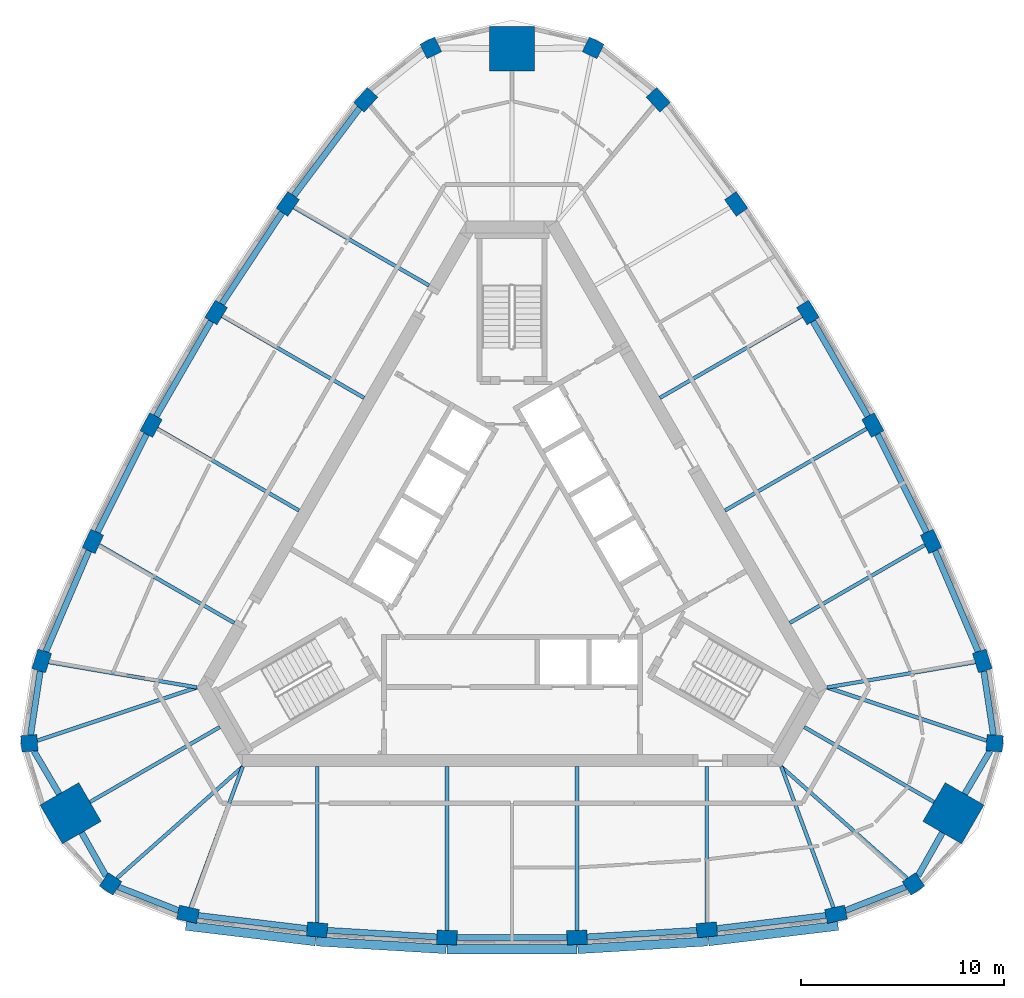
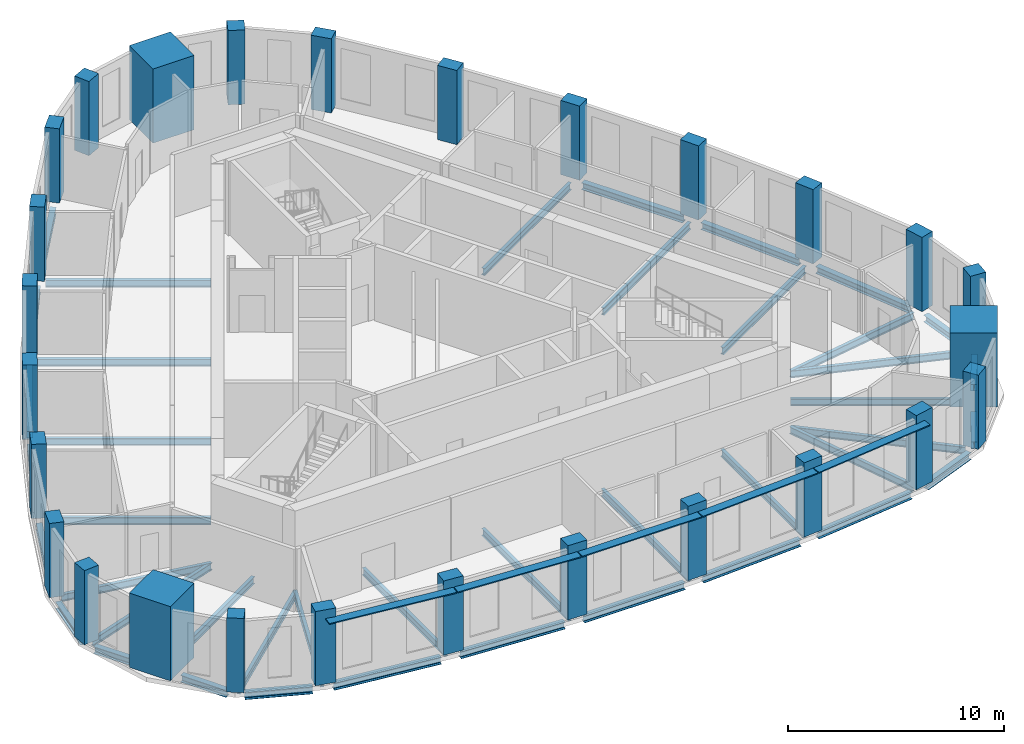
# One storey, part 1 of 10: 42 beams, 27 columns, 5 members.
"""IFC4 building model written with IfcOpenShell, lengths in metres."""

from ifc_helpers import new_model, si_unit, direction, frame, origin, origin_2d, place, context, subcontext, project, spatial, rectangle, i_section, extrude, material, material_profile, profile_set, type_object, element, save


model = new_model("IFC4")

# Units and contexts
model_context = context("Model", 3, precision=1e-05, world=origin(), true_north=direction((0.0, 1.0)))
body_context = subcontext(model_context, "Body", "Model", "MODEL_VIEW")
ifc_project = project(units=[si_unit("LENGTHUNIT", "METRE"), si_unit("AREAUNIT", "SQUARE_METRE"), si_unit("VOLUMEUNIT", "CUBIC_METRE"), si_unit("PLANEANGLEUNIT", "RADIAN"), si_unit("MASSUNIT", "GRAM", prefix="KILO")], contexts=[model_context])

# Site, building, storey
site_placement = place(None, origin())
site = spatial("IfcSite", under=ifc_project, at=site_placement, CompositionType="ELEMENT")
building_placement = place(site_placement, origin())
building = spatial("IfcBuilding", under=site, at=building_placement, Name="Mestral Congress Tower", CompositionType="ELEMENT")
storey_placement = place(building_placement, frame((0.0, 0.0, 300.60009765625)))
storey = spatial("IfcBuildingStorey", under=building, at=storey_placement, Name="L70", CompositionType="ELEMENT", Elevation=300.60009765625)

# Columns
ifc_material_1 = material(Name="Concrete C60/75", Category="concrete")
ifc_material_profile_1 = material_profile(ifc_material_1, rectangle(XDim=1.0, YDim=0.699951171875, at=origin_2d()), Name="RC 1000x700")
ifc_profile_set_1 = profile_set([ifc_material_profile_1], Name="Concrete C60/75")
column_type_1 = type_object("IfcColumnType", Name="Column RC 1000x700 C60/75", PredefinedType="COLUMN", material=ifc_profile_set_1)
for number, where, z_axis, x_axis, name in (
    (1, (-15.940673828125, -17.511962890625, 0.0), (0.0, 0.0, 1.0), (0.976233636503, -0.216720758026, 0.0), "COL-L70-C5-S00"),
    (2, (-9.587158203125, -18.273681640625, 0.0), (0.0, 0.0, 1.0), (0.995997816519, -0.089377567035, 0.0), "COL-L70-C5-S01"),
    (3, (-3.199462890625, -18.6552734375, 0.0), (0.0, 0.0, 1.0), (0.999555031657, -0.029828487872, 0.0), "COL-L70-C5-S02"),
    (4, (3.199462890625, -18.6552734375, 0.0), (0.0, 0.0, 1.0), (0.999555031657, 0.029828487872, 0.0), "COL-L70-C5-S03"),
    (5, (9.587158203125, -18.273681640625, 0.0), (0.0, 0.0, 1.0), (0.995997816519, 0.089377567035, 0.0), "COL-L70-C5-S04"),
    (6, (15.940673828125, -17.511962890625, 0.0), (0.0, 0.0, 1.0), (0.976233636503, 0.216720758026, 0.0), "COL-L70-C5-S05"),
    (7, (23.135986328125, -5.049072265625, 0.0), (0.0, 0.0, 1.0), (-0.300431136274, 0.953803508254, 0.0), "COL-L70-C5-E00"),
    (8, (20.618896484375, 0.833984375, 0.0), (0.0, 0.0, 1.0), (-0.420595664679, 0.907248194737, 0.0), "COL-L70-C5-E01"),
    (9, (17.755615234375, 6.556640625, 0.0), (0.0, 0.0, 1.0), (-0.473945287575, 0.880554293832, 0.0), "COL-L70-C5-E02"),
    (10, (14.55615234375, 12.098388671875, 0.0), (0.0, 0.0, 1.0), (-0.525609744083, 0.850725805959, 0.0), "COL-L70-C5-E03"),
    (11, (11.031982421875, 17.439697265625, 0.0), (0.0, 0.0, 1.0), (-0.57540215184, 0.817870627702, 0.0), "COL-L70-C5-E04"),
    (12, (7.1953125, 22.56103515625, 0.0), (0.0, 0.0, 1.0), (-0.67580250023, 0.737082750228, 0.0), "COL-L70-C5-E05"),
    (13, (-7.1953125, 22.56103515625, 0.0), (0.0, 0.0, 1.0), (-0.67580250023, -0.737082750228, 0.0), "COL-L70-C5-W00"),
    (14, (-11.031982421875, 17.439697265625, 0.0), (0.0, 0.0, 1.0), (-0.57540215184, -0.817870627702, 0.0), "COL-L70-C5-W01"),
    (15, (-14.55615234375, 12.098388671875, 0.0), (0.0, 0.0, 1.0), (-0.525609744083, -0.850725805959, 0.0), "COL-L70-C5-W02"),
    (16, (-17.755615234375, 6.556640625, 0.0), (0.0, 0.0, 1.0), (-0.473945287575, -0.880554293832, 0.0), "COL-L70-C5-W03"),
    (17, (-20.618896484375, 0.833984375, 0.0), (0.0, 0.0, 1.0), (-0.420595664679, -0.907248194737, 0.0), "COL-L70-C5-W04"),
    (18, (-23.135986328125, -5.049072265625, 0.0), (0.0, 0.0, 1.0), (-0.300431136274, -0.953803508254, 0.0), "COL-L70-C5-W05"),
):
    element("IfcColumn", number, at=place(storey_placement, frame(where, z_axis=z_axis, x_axis=x_axis)), inside=storey, type_object=column_type_1, Name=name, PredefinedType="COLUMN", context=body_context, shape_type="SweptSolid", body=[
        extrude(rectangle(XDim=1.0, YDim=0.699951171875, at=origin_2d()), origin(), (0.0, 0.0, 1.0), 4.199951171875),
    ])
ifc_material_profile_2 = material_profile(ifc_material_1, rectangle(XDim=0.800048828125, YDim=0.800048828125, at=origin_2d()), Name="RC 800x800")
ifc_profile_set_2 = profile_set([ifc_material_profile_2], Name="Concrete C60/75")
column_type_2 = type_object("IfcColumnType", Name="Column RC 800x800 C60/75", PredefinedType="COLUMN", material=ifc_profile_set_2)
for number, where, z_axis, x_axis, name in (
    (19, (19.75439453125, -16.0166015625, 0.0), (0.0, 0.0, 1.0), (0.826362775296, 0.563138139008, 0.0), "COL-L70-C5-SE1"),
    (20, (23.748046875, -9.099609375, 0.0), (0.0, 0.0, 1.0), (0.074510546573, 0.997220225652, 0.0), "COL-L70-C5-SE3"),
    (21, (3.993408203125, 25.1162109375, 0.0), (0.0, 0.0, 1.0), (-0.900873321869, 0.434082086644, 0.0), "COL-L70-C5-N1"),
    (22, (-3.993408203125, 25.1162109375, 0.0), (0.0, 0.0, 1.0), (-0.900873321869, -0.434082086644, 0.0), "COL-L70-C5-N3"),
    (23, (-23.748046875, -9.099609375, 0.0), (0.0, 0.0, 1.0), (0.074510546573, -0.997220225652, 0.0), "COL-L70-C5-SW1"),
    (24, (-19.75439453125, -16.0166015625, 0.0), (0.0, 0.0, 1.0), (0.826362775296, -0.563138139008, 0.0), "COL-L70-C5-SW3"),
):
    element("IfcColumn", number, at=place(storey_placement, frame(where, z_axis=z_axis, x_axis=x_axis)), inside=storey, type_object=column_type_2, Name=name, PredefinedType="COLUMN", context=body_context, shape_type="SweptSolid", body=[
        extrude(rectangle(XDim=0.800048828125, YDim=0.800048828125, at=origin_2d()), origin(), (0.0, 0.0, 1.0), 4.199951171875),
    ])
ifc_material_profile_3 = material_profile(ifc_material_1, rectangle(XDim=2.199951171875, YDim=2.199951171875, at=origin_2d()), Name="RC 2200x2200")
ifc_profile_set_3 = profile_set([ifc_material_profile_3], Name="Concrete C60/75")
column_type_3 = type_object("IfcColumnType", Name="Mega column RC 2200x2200 C60/75", PredefinedType="COLUMN", material=ifc_profile_set_3)
for number, where, z_axis, x_axis, name in (
    (25, (21.71826171875, -12.5390625, 0.0), (0.0, 0.0, 1.0), (0.866025403784, -0.5, 0.0), "COL-L70-PY5-SE"),
    (26, (0.0, 25.078125, 0.0), (0.0, 0.0, 1.0), (0.0, 1.0, 0.0), "COL-L70-PY5-N"),
    (27, (-21.71826171875, -12.5390625, 0.0), (0.0, 0.0, 1.0), (-0.866025403784, -0.5, 0.0), "COL-L70-PY5-SW"),
):
    element("IfcColumn", number, at=place(storey_placement, frame(where, z_axis=z_axis, x_axis=x_axis)), inside=storey, type_object=column_type_3, Name=name, PredefinedType="COLUMN", context=body_context, shape_type="SweptSolid", body=[
        extrude(rectangle(XDim=2.199951171875, YDim=2.199951171875, at=origin_2d()), origin(), (0.0, 0.0, 1.0), 4.199951171875),
    ])

# Members
ifc_material_2 = material(Name="Glazed ceramic", Category="masonry")
ifc_material_profile_4 = material_profile(ifc_material_2, rectangle(XDim=0.449951171875, YDim=0.06005859375, at=origin_2d()), Name="Ceramic blade 450 x 60")
ifc_profile_set_4 = profile_set([ifc_material_profile_4], Name="Glazed ceramic")
member_type = type_object("IfcMemberType", Name="Facade sunshade blade 450 x 60", PredefinedType="USERDEFINED", material=ifc_profile_set_4)
member_1_placement = place(storey_placement, frame((-16.04638671875, -18.078369140625, 3.679931640625), z_axis=(0.992890306953, -0.119032929725, 0.0), x_axis=(0.119032929725, 0.992890306953, 0.0)))
element("IfcMember", 28, at=member_1_placement, inside=storey, type_object=member_type, Name="Sunshade F0-00", ObjectType="SUNSHADE", PredefinedType="USERDEFINED", context=body_context, shape_type="SweptSolid", body=[
    extrude(rectangle(XDim=0.449951171875, YDim=0.06005859375, at=origin_2d()), origin(), (0.0, 0.0, 1.0), 6.429931640625),
])
member_2_placement = place(storey_placement, frame((-9.614990234375, -18.84814453125, 3.679931640625), z_axis=(0.998222174469, -0.059602771735, 0.0), x_axis=(0.059602771735, 0.998222174469, 0.0)))
element("IfcMember", 29, at=member_2_placement, inside=storey, type_object=member_type, Name="Sunshade F0-01", ObjectType="SUNSHADE", PredefinedType="USERDEFINED", context=body_context, shape_type="SweptSolid", body=[
    extrude(rectangle(XDim=0.449951171875, YDim=0.06005859375, at=origin_2d()), origin(), (0.0, 0.0, 1.0), 6.385986328125),
])
member_3_placement = place(storey_placement, frame((-3.193115234375, -19.230224609375, 3.679931640625), z_axis=(1.0, 0.0, 0.0), x_axis=(0.0, 1.0, 0.0)))
element("IfcMember", 30, at=member_3_placement, inside=storey, type_object=member_type, Name="Sunshade F0-02", ObjectType="SUNSHADE", PredefinedType="USERDEFINED", context=body_context, shape_type="SweptSolid", body=[
    extrude(rectangle(XDim=0.449951171875, YDim=0.06005859375, at=origin_2d()), origin(), (0.0, 0.0, 1.0), 6.38623046875),
])
member_4_placement = place(storey_placement, frame((3.240478515625, -19.228759765625, 3.679931640625), z_axis=(0.998222174469, 0.059602771735, 0.0), x_axis=(-0.059602771735, 0.998222174469, 0.0)))
element("IfcMember", 31, at=member_4_placement, inside=storey, type_object=member_type, Name="Sunshade F0-03", ObjectType="SUNSHADE", PredefinedType="USERDEFINED", context=body_context, shape_type="SweptSolid", body=[
    extrude(rectangle(XDim=0.449951171875, YDim=0.06005859375, at=origin_2d()), origin(), (0.0, 0.0, 1.0), 6.385986328125),
])
member_5_placement = place(storey_placement, frame((9.662109375, -18.84375, 3.679931640625), z_axis=(0.992890306953, 0.119032929725, 0.0), x_axis=(-0.119032929725, 0.992890306953, 0.0)))
element("IfcMember", 32, at=member_5_placement, inside=storey, type_object=member_type, Name="Sunshade F0-04", ObjectType="SUNSHADE", PredefinedType="USERDEFINED", context=body_context, shape_type="SweptSolid", body=[
    extrude(rectangle(XDim=0.449951171875, YDim=0.06005859375, at=origin_2d()), origin(), (0.0, 0.0, 1.0), 6.429931640625),
])

# Beams
ifc_material_3 = material(Name="Steel S355", Category="steel")
ifc_material_profile_5 = material_profile(ifc_material_3, i_section(OverallWidth=0.179931640625, OverallDepth=0.39990234375, WebThickness=0.008544921875, FlangeThickness=0.013427734375, FilletRadius=0.02099609375, at=origin_2d()), Name="IPE 400")
ifc_profile_set_5 = profile_set([ifc_material_profile_5], Name="Steel S355")
beam_type_1 = type_object("IfcBeamType", Name="Floor beam IPE 400 S355", PredefinedType="BEAM", material=ifc_profile_set_5)
beam_1_placement = place(storey_placement, frame((-15.81787109375, -17.1806640625, -0.4501953125), z_axis=(0.347399345496, 0.937717278687, 0.0), x_axis=(-0.937717278687, 0.347399345496, 0.0)))
element("IfcBeam", 33, at=beam_1_placement, inside=storey, type_object=beam_type_1, Name="BM-L70-RB5-S00", PredefinedType="BEAM", context=body_context, shape_type="SweptSolid", body=[
    extrude(i_section(OverallWidth=0.179931640625, OverallDepth=0.39990234375, WebThickness=0.008544921875, FlangeThickness=0.013427734375, FilletRadius=0.02099609375, at=origin_2d()), origin(), (0.0, 0.0, 1.0), 7.39111328125),
])
beam_2_placement = place(storey_placement, frame((-9.587158203125, -17.92236328125, -0.4501953125), z_axis=(0.0, 1.0, 0.0), x_axis=(-1.0, 0.0, 0.0)))
element("IfcBeam", 34, at=beam_2_placement, inside=storey, type_object=beam_type_1, Name="BM-L70-RB5-S01", PredefinedType="BEAM", context=body_context, shape_type="SweptSolid", body=[
    extrude(i_section(OverallWidth=0.179931640625, OverallDepth=0.39990234375, WebThickness=0.008544921875, FlangeThickness=0.013427734375, FilletRadius=0.02099609375, at=origin_2d()), origin(), (0.0, 0.0, 1.0), 7.67236328125),
])
for number, where, z_axis, x_axis, name in (
    (35, (-3.199462890625, -18.304931640625, -0.4501953125), (0.0, 1.0, 0.0), (-1.0, 0.0, 0.0), "BM-L70-RB5-S02"),
    (36, (3.199462890625, -18.304931640625, -0.4501953125), (0.0, 1.0, 0.0), (-1.0, 0.0, 0.0), "BM-L70-RB5-S03"),
):
    element("IfcBeam", number, at=place(storey_placement, frame(where, z_axis=z_axis, x_axis=x_axis)), inside=storey, type_object=beam_type_1, Name=name, PredefinedType="BEAM", context=body_context, shape_type="SweptSolid", body=[
        extrude(i_section(OverallWidth=0.179931640625, OverallDepth=0.39990234375, WebThickness=0.008544921875, FlangeThickness=0.013427734375, FilletRadius=0.02099609375, at=origin_2d()), origin(), (0.0, 0.0, 1.0), 8.054931640625),
    ])
beam_3_placement = place(storey_placement, frame((9.587158203125, -17.92236328125, -0.4501953125), z_axis=(0.0, 1.0, 0.0), x_axis=(-1.0, 0.0, 0.0)))
element("IfcBeam", 37, at=beam_3_placement, inside=storey, type_object=beam_type_1, Name="BM-L70-RB5-S04", PredefinedType="BEAM", context=body_context, shape_type="SweptSolid", body=[
    extrude(i_section(OverallWidth=0.179931640625, OverallDepth=0.39990234375, WebThickness=0.008544921875, FlangeThickness=0.013427734375, FilletRadius=0.02099609375, at=origin_2d()), origin(), (0.0, 0.0, 1.0), 7.67236328125),
])
beam_4_placement = place(storey_placement, frame((15.81787109375, -17.1806640625, -0.4501953125), z_axis=(-0.347399345496, 0.937717278687, 0.0), x_axis=(-0.937717278687, -0.347399345496, 0.0)))
element("IfcBeam", 38, at=beam_4_placement, inside=storey, type_object=beam_type_1, Name="BM-L70-RB5-S05", PredefinedType="BEAM", context=body_context, shape_type="SweptSolid", body=[
    extrude(i_section(OverallWidth=0.179931640625, OverallDepth=0.39990234375, WebThickness=0.008544921875, FlangeThickness=0.013427734375, FilletRadius=0.02099609375, at=origin_2d()), origin(), (0.0, 0.0, 1.0), 7.39111328125),
])
beam_5_placement = place(storey_placement, frame((19.44580078125, -15.742919921875, -0.4501953125), z_axis=(-0.74826277439, 0.663402457383, 0.0), x_axis=(-0.663402457383, -0.74826277439, 0.0)))
element("IfcBeam", 39, at=beam_5_placement, inside=storey, type_object=beam_type_1, Name="BM-L70-RB5-SE1", PredefinedType="BEAM", context=body_context, shape_type="SweptSolid", body=[
    extrude(i_section(OverallWidth=0.179931640625, OverallDepth=0.39990234375, WebThickness=0.008544921875, FlangeThickness=0.013427734375, FilletRadius=0.02099609375, at=origin_2d()), origin(), (0.0, 0.0, 1.0), 8.280029296875),
])
beam_6_placement = place(storey_placement, frame((20.765625, -11.989013671875, -0.4501953125), z_axis=(-0.866031296205, 0.499989793889, 0.0), x_axis=(-0.499989793889, -0.866031296205, 0.0)))
element("IfcBeam", 40, at=beam_6_placement, inside=storey, type_object=beam_type_1, Name="BM-L70-RB5-SE", PredefinedType="BEAM", context=body_context, shape_type="SweptSolid", body=[
    extrude(i_section(OverallWidth=0.179931640625, OverallDepth=0.39990234375, WebThickness=0.008544921875, FlangeThickness=0.013427734375, FilletRadius=0.02099609375, at=origin_2d()), origin(), (0.0, 0.0, 1.0), 7.378173828125),
])
beam_7_placement = place(storey_placement, frame((23.356689453125, -8.968994140625, -0.4501953125), z_axis=(-0.948659706446, 0.316298532031, 0.0), x_axis=(-0.316298532031, -0.948659706446, 0.0)))
element("IfcBeam", 41, at=beam_7_placement, inside=storey, type_object=beam_type_1, Name="BM-L70-RB5-SE3", PredefinedType="BEAM", context=body_context, shape_type="SweptSolid", body=[
    extrude(i_section(OverallWidth=0.179931640625, OverallDepth=0.39990234375, WebThickness=0.008544921875, FlangeThickness=0.013427734375, FilletRadius=0.02099609375, at=origin_2d()), origin(), (0.0, 0.0, 1.0), 8.27978515625),
])
beam_8_placement = place(storey_placement, frame((22.787841796875, -5.1083984375, -0.4501953125), z_axis=(-0.985786503242, -0.168002886958, 0.0), x_axis=(0.168002886958, -0.985786503242, 0.0)))
element("IfcBeam", 42, at=beam_8_placement, inside=storey, type_object=beam_type_1, Name="BM-L70-RB5-E00", PredefinedType="BEAM", context=body_context, shape_type="SweptSolid", body=[
    extrude(i_section(OverallWidth=0.179931640625, OverallDepth=0.39990234375, WebThickness=0.008544921875, FlangeThickness=0.013427734375, FilletRadius=0.02099609375, at=origin_2d()), origin(), (0.0, 0.0, 1.0), 7.390869140625),
])
beam_9_placement = place(storey_placement, frame((20.314697265625, 0.658447265625, -0.4501953125), z_axis=(-0.866019720907, -0.500009842903, 0.0), x_axis=(0.500009842903, -0.866019720907, 0.0)))
element("IfcBeam", 43, at=beam_9_placement, inside=storey, type_object=beam_type_1, Name="BM-L70-RB5-E01", PredefinedType="BEAM", context=body_context, shape_type="SweptSolid", body=[
    extrude(i_section(OverallWidth=0.179931640625, OverallDepth=0.39990234375, WebThickness=0.008544921875, FlangeThickness=0.013427734375, FilletRadius=0.02099609375, at=origin_2d()), origin(), (0.0, 0.0, 1.0), 7.672119140625),
])
for number, where, z_axis, x_axis, name in (
    (44, (17.452392578125, 6.381591796875, -0.4501953125), (-0.866020537834, -0.500008427979, 0.0), (0.500008427979, -0.866020537834, 0.0), "BM-L70-RB5-E02"),
    (45, (14.2529296875, 11.92333984375, -0.4501953125), (-0.866033662086, -0.499985695929, 0.0), (0.499985695929, -0.866033662086, 0.0), "BM-L70-RB5-E03"),
):
    element("IfcBeam", number, at=place(storey_placement, frame(where, z_axis=z_axis, x_axis=x_axis)), inside=storey, type_object=beam_type_1, Name=name, PredefinedType="BEAM", context=body_context, shape_type="SweptSolid", body=[
        extrude(i_section(OverallWidth=0.179931640625, OverallDepth=0.39990234375, WebThickness=0.008544921875, FlangeThickness=0.013427734375, FilletRadius=0.02099609375, at=origin_2d()), origin(), (0.0, 0.0, 1.0), 8.054931640625),
    ])
beam_10_placement = place(storey_placement, frame((-10.7275390625, 17.263916015625, -0.4501953125), z_axis=(0.866019720907, -0.500009842903, 0.0), x_axis=(0.500009842903, 0.866019720907, 0.0)))
element("IfcBeam", 46, at=beam_10_placement, inside=storey, type_object=beam_type_1, Name="BM-L70-RB5-W01", PredefinedType="BEAM", context=body_context, shape_type="SweptSolid", body=[
    extrude(i_section(OverallWidth=0.179931640625, OverallDepth=0.39990234375, WebThickness=0.008544921875, FlangeThickness=0.013427734375, FilletRadius=0.02099609375, at=origin_2d()), origin(), (0.0, 0.0, 1.0), 7.672119140625),
])
for number, where, z_axis, x_axis, name in (
    (47, (-14.2529296875, 11.92333984375, -0.4501953125), (0.866033662086, -0.499985695929, 0.0), (0.499985695929, 0.866033662086, 0.0), "BM-L70-RB5-W02"),
    (48, (-17.452392578125, 6.381591796875, -0.4501953125), (0.866020537834, -0.500008427979, 0.0), (0.500008427979, 0.866020537834, 0.0), "BM-L70-RB5-W03"),
):
    element("IfcBeam", number, at=place(storey_placement, frame(where, z_axis=z_axis, x_axis=x_axis)), inside=storey, type_object=beam_type_1, Name=name, PredefinedType="BEAM", context=body_context, shape_type="SweptSolid", body=[
        extrude(i_section(OverallWidth=0.179931640625, OverallDepth=0.39990234375, WebThickness=0.008544921875, FlangeThickness=0.013427734375, FilletRadius=0.02099609375, at=origin_2d()), origin(), (0.0, 0.0, 1.0), 8.054931640625),
    ])
beam_11_placement = place(storey_placement, frame((-20.314697265625, 0.658447265625, -0.4501953125), z_axis=(0.866019720907, -0.500009842903, 0.0), x_axis=(0.500009842903, 0.866019720907, 0.0)))
element("IfcBeam", 49, at=beam_11_placement, inside=storey, type_object=beam_type_1, Name="BM-L70-RB5-W04", PredefinedType="BEAM", context=body_context, shape_type="SweptSolid", body=[
    extrude(i_section(OverallWidth=0.179931640625, OverallDepth=0.39990234375, WebThickness=0.008544921875, FlangeThickness=0.013427734375, FilletRadius=0.02099609375, at=origin_2d()), origin(), (0.0, 0.0, 1.0), 7.672119140625),
])
beam_12_placement = place(storey_placement, frame((-22.787841796875, -5.1083984375, -0.4501953125), z_axis=(0.985786503242, -0.168002886958, 0.0), x_axis=(0.168002886958, 0.985786503242, 0.0)))
element("IfcBeam", 50, at=beam_12_placement, inside=storey, type_object=beam_type_1, Name="BM-L70-RB5-W05", PredefinedType="BEAM", context=body_context, shape_type="SweptSolid", body=[
    extrude(i_section(OverallWidth=0.179931640625, OverallDepth=0.39990234375, WebThickness=0.008544921875, FlangeThickness=0.013427734375, FilletRadius=0.02099609375, at=origin_2d()), origin(), (0.0, 0.0, 1.0), 7.390869140625),
])
beam_13_placement = place(storey_placement, frame((-23.356689453125, -8.968994140625, -0.4501953125), z_axis=(0.948659706446, 0.316298532031, 0.0), x_axis=(-0.316298532031, 0.948659706446, 0.0)))
element("IfcBeam", 51, at=beam_13_placement, inside=storey, type_object=beam_type_1, Name="BM-L70-RB5-SW1", PredefinedType="BEAM", context=body_context, shape_type="SweptSolid", body=[
    extrude(i_section(OverallWidth=0.179931640625, OverallDepth=0.39990234375, WebThickness=0.008544921875, FlangeThickness=0.013427734375, FilletRadius=0.02099609375, at=origin_2d()), origin(), (0.0, 0.0, 1.0), 8.27978515625),
])
beam_14_placement = place(storey_placement, frame((-20.765625, -11.989013671875, -0.4501953125), z_axis=(0.866031296205, 0.499989793889, 0.0), x_axis=(-0.499989793889, 0.866031296205, 0.0)))
element("IfcBeam", 52, at=beam_14_placement, inside=storey, type_object=beam_type_1, Name="BM-L70-RB5-SW", PredefinedType="BEAM", context=body_context, shape_type="SweptSolid", body=[
    extrude(i_section(OverallWidth=0.179931640625, OverallDepth=0.39990234375, WebThickness=0.008544921875, FlangeThickness=0.013427734375, FilletRadius=0.02099609375, at=origin_2d()), origin(), (0.0, 0.0, 1.0), 7.378173828125),
])
beam_15_placement = place(storey_placement, frame((-19.44580078125, -15.742919921875, -0.4501953125), z_axis=(0.74826277439, 0.663402457383, 0.0), x_axis=(-0.663402457383, 0.74826277439, 0.0)))
element("IfcBeam", 53, at=beam_15_placement, inside=storey, type_object=beam_type_1, Name="BM-L70-RB5-SW3", PredefinedType="BEAM", context=body_context, shape_type="SweptSolid", body=[
    extrude(i_section(OverallWidth=0.179931640625, OverallDepth=0.39990234375, WebThickness=0.008544921875, FlangeThickness=0.013427734375, FilletRadius=0.02099609375, at=origin_2d()), origin(), (0.0, 0.0, 1.0), 8.280029296875),
])
ifc_material_profile_6 = material_profile(ifc_material_3, i_section(OverallWidth=0.300048828125, OverallDepth=0.389892578125, WebThickness=0.010986328125, FlangeThickness=0.01904296875, FilletRadius=0.027099609375, at=origin_2d()), Name="HEA 400")
ifc_profile_set_6 = profile_set([ifc_material_profile_6], Name="Steel S355")
beam_type_2 = type_object("IfcBeamType", Name="Spandrel beam HEA 400 S355", PredefinedType="BEAM", material=ifc_profile_set_6)
beam_16_placement = place(storey_placement, frame((-15.44189453125, -17.57177734375, -0.445068359375), z_axis=(0.992890319222, -0.119032827389, 0.0), x_axis=(0.119032827389, 0.992890319222, 0.0)))
element("IfcBeam", 54, at=beam_16_placement, inside=storey, type_object=beam_type_2, Name="SP-L70-SB5-S00", PredefinedType="BEAM", context=body_context, shape_type="SweptSolid", body=[
    extrude(i_section(OverallWidth=0.300048828125, OverallDepth=0.389892578125, WebThickness=0.010986328125, FlangeThickness=0.01904296875, FilletRadius=0.027099609375, at=origin_2d()), origin(), (0.0, 0.0, 1.0), 5.396240234375),
])
beam_17_placement = place(storey_placement, frame((-9.087890625, -18.303466796875, -0.445068359375), z_axis=(0.998219522722, -0.059647166371, 0.0), x_axis=(0.059647166371, 0.998219522722, 0.0)))
element("IfcBeam", 55, at=beam_17_placement, inside=storey, type_object=beam_type_2, Name="SP-L70-SB5-S01", PredefinedType="BEAM", context=body_context, shape_type="SweptSolid", body=[
    extrude(i_section(OverallWidth=0.300048828125, OverallDepth=0.389892578125, WebThickness=0.010986328125, FlangeThickness=0.01904296875, FilletRadius=0.027099609375, at=origin_2d()), origin(), (0.0, 0.0, 1.0), 5.398681640625),
])
beam_18_placement = place(storey_placement, frame((-2.69921875, -18.6552734375, -0.445068359375), z_axis=(1.0, 0.0, 0.0), x_axis=(0.0, 1.0, 0.0)))
element("IfcBeam", 56, at=beam_18_placement, inside=storey, type_object=beam_type_2, Name="SP-L70-SB5-S02", PredefinedType="BEAM", context=body_context, shape_type="SweptSolid", body=[
    extrude(i_section(OverallWidth=0.300048828125, OverallDepth=0.389892578125, WebThickness=0.010986328125, FlangeThickness=0.01904296875, FilletRadius=0.027099609375, at=origin_2d()), origin(), (0.0, 0.0, 1.0), 5.3984375),
])
beam_19_placement = place(storey_placement, frame((3.69873046875, -18.62548828125, -0.445068359375), z_axis=(0.998219522722, 0.059647166371, 0.0), x_axis=(-0.059647166371, 0.998219522722, 0.0)))
element("IfcBeam", 57, at=beam_19_placement, inside=storey, type_object=beam_type_2, Name="SP-L70-SB5-S03", PredefinedType="BEAM", context=body_context, shape_type="SweptSolid", body=[
    extrude(i_section(OverallWidth=0.300048828125, OverallDepth=0.389892578125, WebThickness=0.010986328125, FlangeThickness=0.01904296875, FilletRadius=0.027099609375, at=origin_2d()), origin(), (0.0, 0.0, 1.0), 5.398681640625),
])
beam_20_placement = place(storey_placement, frame((10.083984375, -18.214111328125, -0.445068359375), z_axis=(0.992890319222, 0.119032827389, 0.0), x_axis=(-0.119032827389, 0.992890319222, 0.0)))
element("IfcBeam", 58, at=beam_20_placement, inside=storey, type_object=beam_type_2, Name="SP-L70-SB5-S04", PredefinedType="BEAM", context=body_context, shape_type="SweptSolid", body=[
    extrude(i_section(OverallWidth=0.300048828125, OverallDepth=0.389892578125, WebThickness=0.010986328125, FlangeThickness=0.01904296875, FilletRadius=0.027099609375, at=origin_2d()), origin(), (0.0, 0.0, 1.0), 5.396240234375),
])
beam_21_placement = place(storey_placement, frame((16.411865234375, -17.3271484375, -0.445068359375), z_axis=(0.930980873283, 0.365067957485, 0.0), x_axis=(-0.365067957485, 0.930980873283, 0.0)))
element("IfcBeam", 59, at=beam_21_placement, inside=storey, type_object=beam_type_2, Name="SP-L70-SB5-S05", PredefinedType="BEAM", context=body_context, shape_type="SweptSolid", body=[
    extrude(i_section(OverallWidth=0.300048828125, OverallDepth=0.389892578125, WebThickness=0.010986328125, FlangeThickness=0.01904296875, FilletRadius=0.027099609375, at=origin_2d()), origin(), (0.0, 0.0, 1.0), 3.179931640625),
])
beam_22_placement = place(storey_placement, frame((19.9736328125, -15.628173828125, -0.445068359375), z_axis=(0.491728558518, 0.870748542771, 0.0), x_axis=(-0.870748542771, 0.491728558518, 0.0)))
element("IfcBeam", 60, at=beam_22_placement, inside=storey, type_object=beam_type_2, Name="SP-L70-SB5-SE1", PredefinedType="BEAM", context=body_context, shape_type="SweptSolid", body=[
    extrude(i_section(OverallWidth=0.300048828125, OverallDepth=0.389892578125, WebThickness=0.010986328125, FlangeThickness=0.01904296875, FilletRadius=0.027099609375, at=origin_2d()), origin(), (0.0, 0.0, 1.0), 2.44775390625),
])
beam_23_placement = place(storey_placement, frame((22.27734375, -11.591552734375, -0.445068359375), z_axis=(0.508218412694, 0.861228218882, 0.0), x_axis=(-0.861228218882, 0.508218412694, 0.0)))
element("IfcBeam", 61, at=beam_23_placement, inside=storey, type_object=beam_type_2, Name="SP-L70-SB5-SE", PredefinedType="BEAM", context=body_context, shape_type="SweptSolid", body=[
    extrude(i_section(OverallWidth=0.300048828125, OverallDepth=0.389892578125, WebThickness=0.010986328125, FlangeThickness=0.01904296875, FilletRadius=0.027099609375, at=origin_2d()), origin(), (0.0, 0.0, 1.0), 2.447509765625),
])
beam_24_placement = place(storey_placement, frame((23.686767578125, -8.69384765625, -0.445068359375), z_axis=(-0.149402818736, 0.98877641444, 0.0), x_axis=(-0.98877641444, -0.149402818736, 0.0)))
element("IfcBeam", 62, at=beam_24_placement, inside=storey, type_object=beam_type_2, Name="SP-L70-SB5-SE3", PredefinedType="BEAM", context=body_context, shape_type="SweptSolid", body=[
    extrude(i_section(OverallWidth=0.300048828125, OverallDepth=0.389892578125, WebThickness=0.010986328125, FlangeThickness=0.01904296875, FilletRadius=0.027099609375, at=origin_2d()), origin(), (0.0, 0.0, 1.0), 3.179931640625),
])
beam_25_placement = place(storey_placement, frame((22.9384765625, -4.587158203125, -0.445068359375), z_axis=(-0.393367759324, 0.919381208164, 0.0), x_axis=(-0.919381208164, -0.393367759324, 0.0)))
element("IfcBeam", 63, at=beam_25_placement, inside=storey, type_object=beam_type_2, Name="SP-L70-SB5-E00", PredefinedType="BEAM", context=body_context, shape_type="SweptSolid", body=[
    extrude(i_section(OverallWidth=0.300048828125, OverallDepth=0.389892578125, WebThickness=0.010986328125, FlangeThickness=0.01904296875, FilletRadius=0.027099609375, at=origin_2d()), origin(), (0.0, 0.0, 1.0), 5.396484375),
])
beam_26_placement = place(storey_placement, frame((20.395263671875, 1.281494140625, -0.445068359375), z_axis=(-0.44748491494, 0.894291479832, 0.0), x_axis=(-0.894291479832, -0.44748491494, 0.0)))
element("IfcBeam", 64, at=beam_26_placement, inside=storey, type_object=beam_type_2, Name="SP-L70-SB5-E01", PredefinedType="BEAM", context=body_context, shape_type="SweptSolid", body=[
    extrude(i_section(OverallWidth=0.300048828125, OverallDepth=0.389892578125, WebThickness=0.010986328125, FlangeThickness=0.01904296875, FilletRadius=0.027099609375, at=origin_2d()), origin(), (0.0, 0.0, 1.0), 5.3984375),
])
beam_27_placement = place(storey_placement, frame((17.505615234375, 6.989990234375, -0.445068359375), z_axis=(-0.500025177812, 0.86601086688, 0.0), x_axis=(-0.86601086688, -0.500025177812, 0.0)))
element("IfcBeam", 65, at=beam_27_placement, inside=storey, type_object=beam_type_2, Name="SP-L70-SB5-E02", PredefinedType="BEAM", context=body_context, shape_type="SweptSolid", body=[
    extrude(i_section(OverallWidth=0.300048828125, OverallDepth=0.389892578125, WebThickness=0.010986328125, FlangeThickness=0.01904296875, FilletRadius=0.027099609375, at=origin_2d()), origin(), (0.0, 0.0, 1.0), 5.398681640625),
])
beam_28_placement = place(storey_placement, frame((-7.49658203125, 22.158935546875, -0.445068359375), z_axis=(-0.599529393236, -0.800352738888, 0.0), x_axis=(0.800352738888, -0.599529393236, 0.0)))
element("IfcBeam", 66, at=beam_28_placement, inside=storey, type_object=beam_type_2, Name="SP-L70-SB5-W00", PredefinedType="BEAM", context=body_context, shape_type="SweptSolid", body=[
    extrude(i_section(OverallWidth=0.300048828125, OverallDepth=0.389892578125, WebThickness=0.010986328125, FlangeThickness=0.01904296875, FilletRadius=0.027099609375, at=origin_2d()), origin(), (0.0, 0.0, 1.0), 5.396484375),
])
beam_29_placement = place(storey_placement, frame((-11.307373046875, 17.02197265625, -0.445068359375), z_axis=(-0.550748957655, -0.83467094453, 0.0), x_axis=(0.83467094453, -0.550748957655, 0.0)))
element("IfcBeam", 67, at=beam_29_placement, inside=storey, type_object=beam_type_2, Name="SP-L70-SB5-W01", PredefinedType="BEAM", context=body_context, shape_type="SweptSolid", body=[
    extrude(i_section(OverallWidth=0.300048828125, OverallDepth=0.389892578125, WebThickness=0.010986328125, FlangeThickness=0.01904296875, FilletRadius=0.027099609375, at=origin_2d()), origin(), (0.0, 0.0, 1.0), 5.3984375),
])
beam_30_placement = place(storey_placement, frame((-14.80615234375, 11.665283203125, -0.445068359375), z_axis=(-0.500025177812, -0.86601086688, 0.0), x_axis=(0.86601086688, -0.500025177812, 0.0)))
element("IfcBeam", 68, at=beam_30_placement, inside=storey, type_object=beam_type_2, Name="SP-L70-SB5-W02", PredefinedType="BEAM", context=body_context, shape_type="SweptSolid", body=[
    extrude(i_section(OverallWidth=0.300048828125, OverallDepth=0.389892578125, WebThickness=0.010986328125, FlangeThickness=0.01904296875, FilletRadius=0.027099609375, at=origin_2d()), origin(), (0.0, 0.0, 1.0), 5.398681640625),
])
beam_31_placement = place(storey_placement, frame((-17.9794921875, 6.109375, -0.445068359375), z_axis=(-0.44748491494, -0.894291479832, 0.0), x_axis=(0.894291479832, -0.44748491494, 0.0)))
element("IfcBeam", 69, at=beam_31_placement, inside=storey, type_object=beam_type_2, Name="SP-L70-SB5-W03", PredefinedType="BEAM", context=body_context, shape_type="SweptSolid", body=[
    extrude(i_section(OverallWidth=0.300048828125, OverallDepth=0.389892578125, WebThickness=0.010986328125, FlangeThickness=0.01904296875, FilletRadius=0.027099609375, at=origin_2d()), origin(), (0.0, 0.0, 1.0), 5.3984375),
])
beam_32_placement = place(storey_placement, frame((-20.815673828125, 0.374267578125, -0.445068359375), z_axis=(-0.393367759324, -0.919381208164, 0.0), x_axis=(0.919381208164, -0.393367759324, 0.0)))
element("IfcBeam", 70, at=beam_32_placement, inside=storey, type_object=beam_type_2, Name="SP-L70-SB5-W04", PredefinedType="BEAM", context=body_context, shape_type="SweptSolid", body=[
    extrude(i_section(OverallWidth=0.300048828125, OverallDepth=0.389892578125, WebThickness=0.010986328125, FlangeThickness=0.01904296875, FilletRadius=0.027099609375, at=origin_2d()), origin(), (0.0, 0.0, 1.0), 5.396484375),
])
beam_33_placement = place(storey_placement, frame((-23.211669921875, -5.549560546875, -0.445068359375), z_axis=(-0.149402818736, -0.98877641444, 0.0), x_axis=(0.98877641444, -0.149402818736, 0.0)))
element("IfcBeam", 71, at=beam_33_placement, inside=storey, type_object=beam_type_2, Name="SP-L70-SB5-W05", PredefinedType="BEAM", context=body_context, shape_type="SweptSolid", body=[
    extrude(i_section(OverallWidth=0.300048828125, OverallDepth=0.389892578125, WebThickness=0.010986328125, FlangeThickness=0.01904296875, FilletRadius=0.027099609375, at=origin_2d()), origin(), (0.0, 0.0, 1.0), 3.179931640625),
])
beam_34_placement = place(storey_placement, frame((-23.521240234375, -9.483642578125, -0.445068359375), z_axis=(0.508218412694, -0.861228218882, 0.0), x_axis=(0.861228218882, 0.508218412694, 0.0)))
element("IfcBeam", 72, at=beam_34_placement, inside=storey, type_object=beam_type_2, Name="SP-L70-SB5-SW1", PredefinedType="BEAM", context=body_context, shape_type="SweptSolid", body=[
    extrude(i_section(OverallWidth=0.300048828125, OverallDepth=0.389892578125, WebThickness=0.010986328125, FlangeThickness=0.01904296875, FilletRadius=0.027099609375, at=origin_2d()), origin(), (0.0, 0.0, 1.0), 2.447509765625),
])
beam_35_placement = place(storey_placement, frame((-21.17724609375, -13.496826171875, -0.445068359375), z_axis=(0.491728558518, -0.870748542771, 0.0), x_axis=(0.870748542771, 0.491728558518, 0.0)))
element("IfcBeam", 73, at=beam_35_placement, inside=storey, type_object=beam_type_2, Name="SP-L70-SB5-SW", PredefinedType="BEAM", context=body_context, shape_type="SweptSolid", body=[
    extrude(i_section(OverallWidth=0.300048828125, OverallDepth=0.389892578125, WebThickness=0.010986328125, FlangeThickness=0.01904296875, FilletRadius=0.027099609375, at=origin_2d()), origin(), (0.0, 0.0, 1.0), 2.44775390625),
])
beam_36_placement = place(storey_placement, frame((-19.372314453125, -16.166259765625, -0.445068359375), z_axis=(0.930980873283, -0.365067957485, 0.0), x_axis=(0.365067957485, 0.930980873283, 0.0)))
element("IfcBeam", 74, at=beam_36_placement, inside=storey, type_object=beam_type_2, Name="SP-L70-SB5-SW3", PredefinedType="BEAM", context=body_context, shape_type="SweptSolid", body=[
    extrude(i_section(OverallWidth=0.300048828125, OverallDepth=0.389892578125, WebThickness=0.010986328125, FlangeThickness=0.01904296875, FilletRadius=0.027099609375, at=origin_2d()), origin(), (0.0, 0.0, 1.0), 3.179931640625),
])

save(model, "model.ifc")
